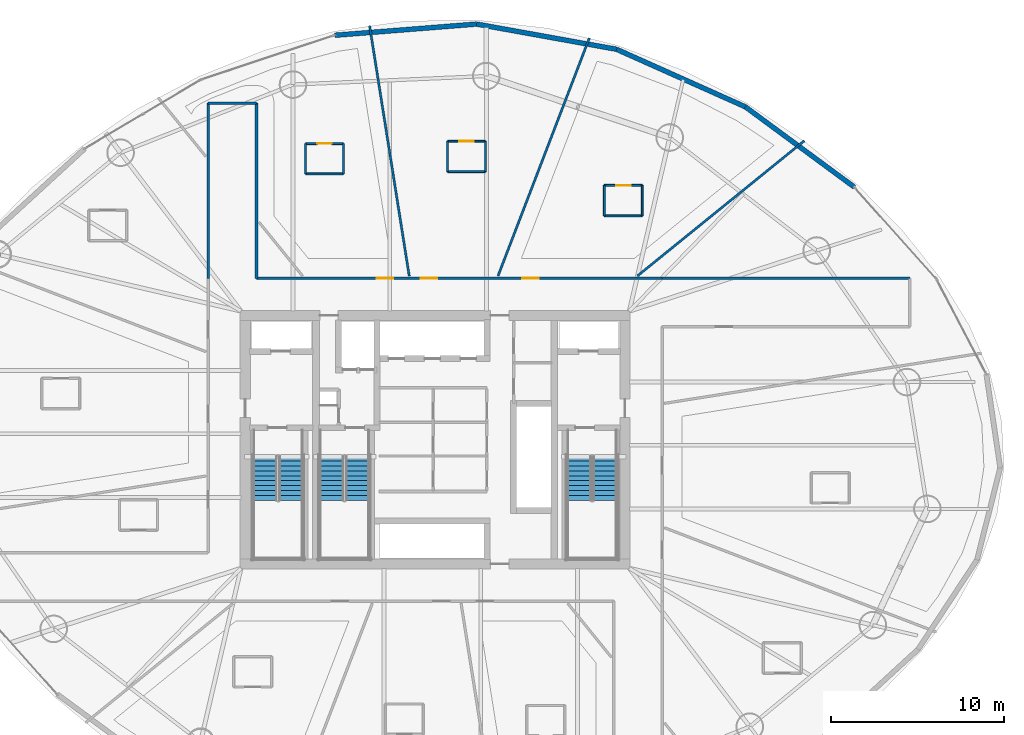
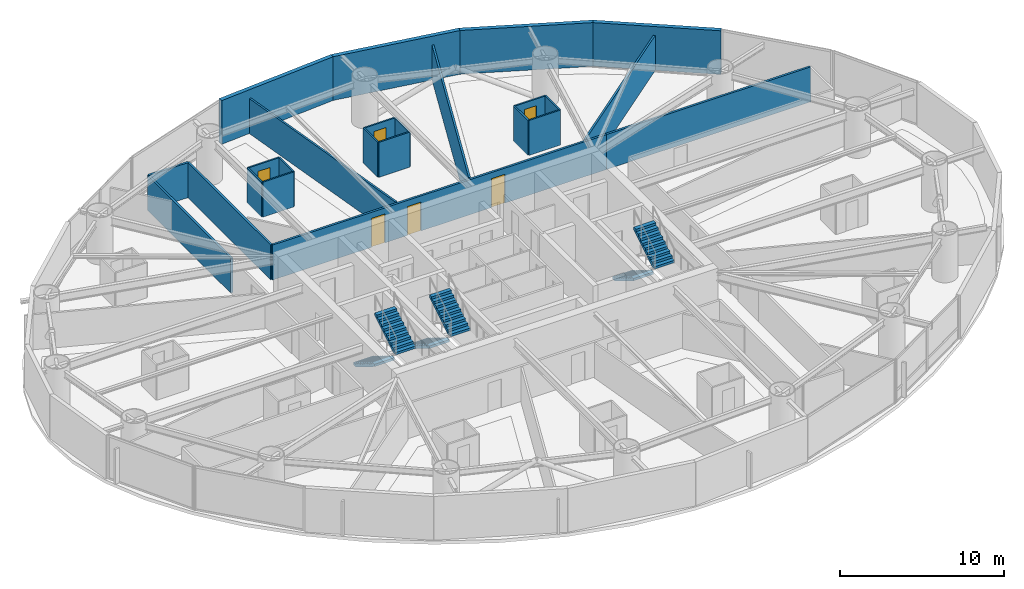
# One storey, part 21 of 25: 24 walls, 6 doors, 6 stair flights, 6 openings, 3 elements without a shape of their own.
"""IFC4 building model written with IfcOpenShell, lengths in metres."""

from ifc_helpers import new_model, si_unit, direction, frame, frame_2d, origin, place, context, subcontext, project, spatial, polyline, rectangle, outline, extrude, material, layer, layer_set, type_object, element, fill, aggregate, save


model = new_model("IFC4")

# Units and contexts
model_context = context("Model", 3, precision=1e-05, world=origin(), true_north=direction((0.0, 1.0)))
body_context = subcontext(model_context, "Body", "Model", "MODEL_VIEW")
ifc_project = project(units=[si_unit("LENGTHUNIT", "METRE"), si_unit("AREAUNIT", "SQUARE_METRE"), si_unit("VOLUMEUNIT", "CUBIC_METRE"), si_unit("PLANEANGLEUNIT", "RADIAN"), si_unit("MASSUNIT", "GRAM", prefix="KILO")], contexts=[model_context])

# Site, building, storey
site_placement = place(None, origin())
site = spatial("IfcSite", under=ifc_project, at=site_placement, CompositionType="ELEMENT")
building_placement = place(site_placement, origin())
building = spatial("IfcBuilding", under=site, at=building_placement, Name="Bramvorn Convention Spire", CompositionType="ELEMENT")
storey_placement = place(building_placement, frame((0.0, 0.0, 48.39990234375)))
storey = spatial("IfcBuildingStorey", under=building, at=storey_placement, Name="L09", CompositionType="ELEMENT", Elevation=48.39990234375)

# Walls
ifc_material_1 = material(Name="Precast Concrete C40/50 with Bronze Terracotta Rainscreen", Category="masonry")
ifc_layer_1 = layer(ifc_material_1, 0.300048828125)
ifc_layer_set_1 = layer_set([ifc_layer_1], Name="Precast Concrete C40/50 with Bronze Terracotta Rainscreen - WL-EXT-BRONZE-300")
wall_type_1 = type_object("IfcWallType", Name="WL-EXT-BRONZE-300", PredefinedType="SOLIDWALL", material=ifc_layer_set_1)
wall_1_placement = place(storey_placement, frame((55.97119140625, 45.287109375, 0.0), z_axis=(0.0, 0.0, 1.0), x_axis=(0.805234930247, -0.592955906547, 0.0)))
element("IfcWall", 1, at=wall_1_placement, inside=storey, type_object=wall_type_1, Name="L09 expressed bronze Gothic lancet pier wall 04", PredefinedType="SOLIDWALL", context=body_context, shape_type="SweptSolid", body=[
    extrude(rectangle(XDim=7.8447265625, YDim=0.280029296875, at=frame_2d((3.92236328125, 0.0))), origin(), (0.0, 0.0, 1.0), 3.25),
])
wall_2_placement = place(storey_placement, frame((48.51123046875, 48.62060546875, 0.0), z_axis=(0.0, 0.0, 1.0), x_axis=(0.91299402967, -0.407972917958, 0.0)))
element("IfcWall", 2, at=wall_2_placement, inside=storey, type_object=wall_type_1, Name="L09 expressed bronze Gothic lancet pier wall 05", PredefinedType="SOLIDWALL", context=body_context, shape_type="SweptSolid", body=[
    extrude(rectangle(XDim=8.1708984375, YDim=0.280029296875, at=frame_2d((4.08544921875, 0.0))), origin(), (0.0, 0.0, 1.0), 3.25),
])
wall_3_placement = place(storey_placement, frame((40.400390625, 50.080810546875, 0.0), z_axis=(0.0, 0.0, 1.0), x_axis=(0.984177951896, -0.177182840596, 0.0)))
element("IfcWall", 3, at=wall_3_placement, inside=storey, type_object=wall_type_1, Name="L09 expressed bronze Gothic lancet pier wall 06", PredefinedType="SOLIDWALL", context=body_context, shape_type="SweptSolid", body=[
    extrude(rectangle(XDim=8.2412109375, YDim=0.280029296875, at=frame_2d((4.12060546875, 0.0))), origin(), (0.0, 0.0, 1.0), 3.25),
])
wall_4_placement = place(storey_placement, frame((32.184326171875, 49.433349609375, 0.0), z_axis=(0.0, 0.0, 1.0), x_axis=(0.996909331369, 0.078560709202, 0.0)))
element("IfcWall", 4, at=wall_4_placement, inside=storey, type_object=wall_type_1, Name="L09 expressed bronze Gothic lancet pier wall 07", PredefinedType="SOLIDWALL", context=body_context, shape_type="SweptSolid", body=[
    extrude(rectangle(XDim=8.241455078125, YDim=0.280029296875, at=frame_2d((4.12060546875, 0.0))), origin(), (0.0, 0.0, 1.0), 3.25),
])
ifc_material_2 = material(Name="Lightweight En-Suite & Wet-Wall Partition", Category="gypsum")
ifc_layer_2 = layer(ifc_material_2, 0.110107421875)
ifc_layer_set_2 = layer_set([ifc_layer_2], Name="Lightweight En-Suite & Wet-Wall Partition - WL-PART-110")
wall_type_2 = type_object("IfcWallType", Name="WL-PART-110", PredefinedType="PARTITIONING", material=ifc_layer_set_2)
wall_5_placement = place(storey_placement, frame((47.80078125, 38.971923828125, 0.0), z_axis=(0.0, 0.0, 1.0), x_axis=(1.0, 0.0, 0.0)))
element("IfcWall", 5, at=wall_5_placement, inside=storey, type_object=wall_type_2, Name="Hotel Suite 0902 en-suite south wall", PredefinedType="PARTITIONING", context=body_context, shape_type="SweptSolid", body=[
    extrude(rectangle(XDim=2.2001953125, YDim=0.110107421875, at=frame_2d((1.10009765625, 0.0))), origin(), (0.0, 0.0, 1.0), 2.60009765625),
])

# Wall, opening, door
wall_6_placement = place(storey_placement, frame((47.80078125, 40.73193359375, 0.0), z_axis=(0.0, 0.0, 1.0), x_axis=(1.0, 0.0, 0.0)))
wall_6 = element("IfcWall", 6, at=wall_6_placement, inside=storey, type_object=wall_type_2, Name="Hotel Suite 0902 en-suite north wall", PredefinedType="PARTITIONING", context=body_context, shape_type="SweptSolid", body=[
    extrude(rectangle(XDim=2.2001953125, YDim=0.110107421875, at=frame_2d((1.10009765625, 0.0))), origin(), (0.0, 0.0, 1.0), 2.60009765625),
])
opening_1_placement = place(wall_6_placement, frame((0.679931640625, 0.0, 0.0)))
opening_1 = element("IfcOpeningElement", 7, at=opening_1_placement, cuts=wall_6, Name="Opening DI-085", PredefinedType="OPENING", context=body_context, shape_type="SweptSolid", body=[
    extrude(rectangle(XDim=0.85009765625, YDim=2.10009765625, at=frame_2d((0.425048828125, 1.050048828125))), frame((0.0, 0.06494140625, 0.0), z_axis=(0.0, -1.0, 0.0), x_axis=(1.0, 0.0, 0.0)), (0.0, 0.0, 1.0), 0.130126953125),
])
ifc_material_3 = material(Name="En-Suite & Restroom Privacy Door", Category="wood")
door_type_1 = type_object("IfcDoorType", Name="DR-INT-850", OperationType="NOTDEFINED", PredefinedType="DOOR", material=ifc_material_3)
door_1_placement = place(opening_1_placement, origin())
door_1 = element("IfcDoor", 8, at=door_1_placement, inside=storey, type_object=door_type_1, Name="Hotel Suite 0902 En-Suite Bathroom door", OperationType="SINGLE_SWING_LEFT", OverallHeight=2.10009765625, OverallWidth=0.85009765625, PredefinedType="DOOR", context=body_context, shape_type="SweptSolid", body=[
    extrude(rectangle(XDim=0.85009765625, YDim=2.10009765625, at=frame_2d((0.425048828125, 1.050048828125))), frame((0.0, 0.02490234375, 0.0), z_axis=(0.0, -1.0, 0.0), x_axis=(1.0, 0.0, 0.0)), (0.0, 0.0, 1.0), 0.050048828125),
])
fill(opening_1, door_1)

# Walls
for number, where, z_axis, x_axis, name in (
    (9, (47.80078125, 38.971923828125, 0.0), (0.0, 0.0, 1.0), (0.0, 1.0, 0.0), "Hotel Suite 0902 en-suite west wall"),
    (10, (50.0009765625, 38.971923828125, 0.0), (0.0, 0.0, 1.0), (0.0, 1.0, 0.0), "Hotel Suite 0902 en-suite east wall"),
):
    element("IfcWall", number, at=place(storey_placement, frame(where, z_axis=z_axis, x_axis=x_axis)), inside=storey, type_object=wall_type_2, Name=name, PredefinedType="PARTITIONING", context=body_context, shape_type="SweptSolid", body=[
        extrude(rectangle(XDim=1.760009765625, YDim=0.110107421875, at=frame_2d((0.8798828125, 0.0))), origin(), (0.0, 0.0, 1.0), 2.60009765625),
    ])
wall_7_placement = place(storey_placement, frame((38.715087890625, 41.53125, 0.0), z_axis=(0.0, 0.0, 1.0), x_axis=(1.0, 0.0, 0.0)))
element("IfcWall", 11, at=wall_7_placement, inside=storey, type_object=wall_type_2, Name="Hotel Suite 0903 en-suite south wall", PredefinedType="PARTITIONING", context=body_context, shape_type="SweptSolid", body=[
    extrude(rectangle(XDim=2.199951171875, YDim=0.110107421875, at=frame_2d((1.10009765625, 0.0))), origin(), (0.0, 0.0, 1.0), 2.60009765625),
])

# Wall, opening, door
wall_8_placement = place(storey_placement, frame((38.715087890625, 43.291259765625, 0.0), z_axis=(0.0, 0.0, 1.0), x_axis=(1.0, 0.0, 0.0)))
wall_8 = element("IfcWall", 12, at=wall_8_placement, inside=storey, type_object=wall_type_2, Name="Hotel Suite 0903 en-suite north wall", PredefinedType="PARTITIONING", context=body_context, shape_type="SweptSolid", body=[
    extrude(rectangle(XDim=2.199951171875, YDim=0.110107421875, at=frame_2d((1.10009765625, 0.0))), origin(), (0.0, 0.0, 1.0), 2.60009765625),
])
opening_2_placement = place(wall_8_placement, frame((0.679931640625, 0.0, 0.0)))
opening_2 = element("IfcOpeningElement", 13, at=opening_2_placement, cuts=wall_8, Name="Opening DI-085", PredefinedType="OPENING", context=body_context, shape_type="SweptSolid", body=[
    extrude(rectangle(XDim=0.85009765625, YDim=2.10009765625, at=frame_2d((0.425048828125, 1.050048828125))), frame((0.0, 0.06494140625, 0.0), z_axis=(0.0, -1.0, 0.0), x_axis=(1.0, 0.0, 0.0)), (0.0, 0.0, 1.0), 0.130126953125),
])
door_2_placement = place(opening_2_placement, origin())
door_2 = element("IfcDoor", 14, at=door_2_placement, inside=storey, type_object=door_type_1, Name="Hotel Suite 0903 En-Suite Bathroom door", OperationType="SINGLE_SWING_LEFT", OverallHeight=2.10009765625, OverallWidth=0.85009765625, PredefinedType="DOOR", context=body_context, shape_type="SweptSolid", body=[
    extrude(rectangle(XDim=0.85009765625, YDim=2.10009765625, at=frame_2d((0.425048828125, 1.050048828125))), frame((0.0, 0.02490234375, 0.0), z_axis=(0.0, -1.0, 0.0), x_axis=(1.0, 0.0, 0.0)), (0.0, 0.0, 1.0), 0.050048828125),
])
fill(opening_2, door_2)

# Walls
for number, where, z_axis, x_axis, name in (
    (15, (38.715087890625, 41.53125, 0.0), (0.0, 0.0, 1.0), (0.0, 1.0, 0.0), "Hotel Suite 0903 en-suite west wall"),
    (16, (40.9150390625, 41.53125, 0.0), (0.0, 0.0, 1.0), (0.0, 1.0, 0.0), "Hotel Suite 0903 en-suite east wall"),
):
    element("IfcWall", number, at=place(storey_placement, frame(where, z_axis=z_axis, x_axis=x_axis)), inside=storey, type_object=wall_type_2, Name=name, PredefinedType="PARTITIONING", context=body_context, shape_type="SweptSolid", body=[
        extrude(rectangle(XDim=1.760009765625, YDim=0.110107421875, at=frame_2d((0.8798828125, 0.0))), origin(), (0.0, 0.0, 1.0), 2.60009765625),
    ])
wall_9_placement = place(storey_placement, frame((30.48828125, 41.39892578125, 0.0), z_axis=(0.0, 0.0, 1.0), x_axis=(1.0, 0.0, 0.0)))
element("IfcWall", 17, at=wall_9_placement, inside=storey, type_object=wall_type_2, Name="Hotel Suite 0904 en-suite south wall", PredefinedType="PARTITIONING", context=body_context, shape_type="SweptSolid", body=[
    extrude(rectangle(XDim=2.2001953125, YDim=0.110107421875, at=frame_2d((1.10009765625, 0.0))), origin(), (0.0, 0.0, 1.0), 2.60009765625),
])

# Wall, opening, door
wall_10_placement = place(storey_placement, frame((30.48828125, 43.158935546875, 0.0), z_axis=(0.0, 0.0, 1.0), x_axis=(1.0, 0.0, 0.0)))
wall_10 = element("IfcWall", 18, at=wall_10_placement, inside=storey, type_object=wall_type_2, Name="Hotel Suite 0904 en-suite north wall", PredefinedType="PARTITIONING", context=body_context, shape_type="SweptSolid", body=[
    extrude(rectangle(XDim=2.2001953125, YDim=0.110107421875, at=frame_2d((1.10009765625, 0.0))), origin(), (0.0, 0.0, 1.0), 2.60009765625),
])
opening_3_placement = place(wall_10_placement, frame((0.679931640625, 0.0, 0.0)))
opening_3 = element("IfcOpeningElement", 19, at=opening_3_placement, cuts=wall_10, Name="Opening DI-085", PredefinedType="OPENING", context=body_context, shape_type="SweptSolid", body=[
    extrude(rectangle(XDim=0.85009765625, YDim=2.10009765625, at=frame_2d((0.425048828125, 1.050048828125))), frame((0.0, 0.06494140625, 0.0), z_axis=(0.0, -1.0, 0.0), x_axis=(1.0, 0.0, 0.0)), (0.0, 0.0, 1.0), 0.130126953125),
])
door_3_placement = place(opening_3_placement, origin())
door_3 = element("IfcDoor", 20, at=door_3_placement, inside=storey, type_object=door_type_1, Name="Hotel Suite 0904 En-Suite Bathroom door", OperationType="SINGLE_SWING_LEFT", OverallHeight=2.10009765625, OverallWidth=0.85009765625, PredefinedType="DOOR", context=body_context, shape_type="SweptSolid", body=[
    extrude(rectangle(XDim=0.85009765625, YDim=2.10009765625, at=frame_2d((0.425048828125, 1.050048828125))), frame((0.0, 0.02490234375, 0.0), z_axis=(0.0, -1.0, 0.0), x_axis=(1.0, 0.0, 0.0)), (0.0, 0.0, 1.0), 0.050048828125),
])
fill(opening_3, door_3)

# Walls
for number, where, z_axis, x_axis, name in (
    (21, (30.48828125, 41.39892578125, 0.0), (0.0, 0.0, 1.0), (0.0, 1.0, 0.0), "Hotel Suite 0904 en-suite west wall"),
    (22, (32.6884765625, 41.39892578125, 0.0), (0.0, 0.0, 1.0), (0.0, 1.0, 0.0), "Hotel Suite 0904 en-suite east wall"),
):
    element("IfcWall", number, at=place(storey_placement, frame(where, z_axis=z_axis, x_axis=x_axis)), inside=storey, type_object=wall_type_2, Name=name, PredefinedType="PARTITIONING", context=body_context, shape_type="SweptSolid", body=[
        extrude(rectangle(XDim=1.760009765625, YDim=0.110107421875, at=frame_2d((0.8798828125, 0.0))), origin(), (0.0, 0.0, 1.0), 2.60009765625),
    ])
ifc_material_4 = material(Name="Metal-Stud Demountable Office Partition", Category="gypsum")
ifc_layer_3 = layer(ifc_material_4, 0.1298828125)
ifc_layer_set_3 = layer_set([ifc_layer_3], Name="Metal-Stud Demountable Office Partition - WL-PART-130")
wall_type_3 = type_object("IfcWallType", Name="WL-PART-130", PredefinedType="PARTITIONING", material=ifc_layer_set_3)
wall_11_placement = place(storey_placement, frame((49.71923828125, 35.489990234375, 0.0), z_axis=(0.0, 0.0, 1.0), x_axis=(0.777145304008, 0.62932120293, 0.0)))
element("IfcWall", 23, at=wall_11_placement, inside=storey, type_object=wall_type_3, Name="L09 Guestroom demising wall 2", PredefinedType="PARTITIONING", context=body_context, shape_type="SweptSolid", body=[
    extrude(rectangle(XDim=12.449462890625, YDim=0.1298828125, at=frame_2d((6.224609375, 0.0))), origin(), (0.0, 0.0, 1.0), 2.60009765625),
])
wall_12_placement = place(storey_placement, frame((41.642822265625, 35.489990234375, 0.0), z_axis=(0.0, 0.0, 1.0), x_axis=(0.358374426788, 0.933577940091, 0.0)))
element("IfcWall", 24, at=wall_12_placement, inside=storey, type_object=wall_type_3, Name="L09 Guestroom demising wall 3", PredefinedType="PARTITIONING", context=body_context, shape_type="SweptSolid", body=[
    extrude(rectangle(XDim=14.77490234375, YDim=0.1298828125, at=frame_2d((7.387451171875, 0.0))), origin(), (0.0, 0.0, 1.0), 2.60009765625),
])
wall_13_placement = place(storey_placement, frame((36.496826171875, 35.489990234375, 0.0), z_axis=(0.0, 0.0, 1.0), x_axis=(-0.15643388506, 0.987688432455, 0.0)))
element("IfcWall", 25, at=wall_13_placement, inside=storey, type_object=wall_type_3, Name="L09 Guestroom demising wall 4", PredefinedType="PARTITIONING", context=body_context, shape_type="SweptSolid", body=[
    extrude(rectangle(XDim=14.6826171875, YDim=0.1298828125, at=frame_2d((7.34130859375, 0.0))), origin(), (0.0, 0.0, 1.0), 2.60009765625),
])

# Wall, openings, doors
ifc_material_5 = material(Name="Acoustic Metal-Stud Tenant/Corridor Partition", Category="gypsum")
ifc_layer_4 = layer(ifc_material_5, 0.14990234375)
ifc_layer_set_4 = layer_set([ifc_layer_4], Name="Acoustic Metal-Stud Tenant/Corridor Partition - WL-PART-150")
wall_type_4 = type_object("IfcWallType", Name="WL-PART-150", PredefinedType="PARTITIONING", material=ifc_layer_set_4)
wall_14_placement = place(storey_placement, frame((27.64990234375, 35.35009765625, 0.0), z_axis=(0.0, 0.0, 1.0), x_axis=(1.0, 0.0, 0.0)))
wall_14 = element("IfcWall", 26, at=wall_14_placement, inside=storey, type_object=wall_type_4, Name="L09 North ring corridor wall", PredefinedType="PARTITIONING", context=body_context, shape_type="SweptSolid", body=[
    extrude(rectangle(XDim=23.5, YDim=0.14990234375, at=frame_2d((11.75, 0.0))), origin(), (0.0, 0.0, 1.0), 2.60009765625),
])
opening_4_placement = place(wall_14_placement, frame((15.392822265625, 0.0, 0.0)))
opening_4 = element("IfcOpeningElement", 27, at=opening_4_placement, cuts=wall_14, Name="Opening DH-095", PredefinedType="OPENING", context=body_context, shape_type="SweptSolid", body=[
    extrude(rectangle(XDim=0.949951171875, YDim=2.14990234375, at=frame_2d((0.47509765625, 1.074951171875))), frame((0.0, 0.0849609375, 0.0), z_axis=(0.0, -1.0, 0.0), x_axis=(1.0, 0.0, 0.0)), (0.0, 0.0, 1.0), 0.169921875),
])
opening_5_placement = place(wall_14_placement, frame((9.5107421875, 0.0, 0.0)))
opening_5 = element("IfcOpeningElement", 28, at=opening_5_placement, cuts=wall_14, Name="Opening DH-095", PredefinedType="OPENING", context=body_context, shape_type="SweptSolid", body=[
    extrude(rectangle(XDim=0.949951171875, YDim=2.14990234375, at=frame_2d((0.47509765625, 1.074951171875))), frame((0.0, 0.0849609375, 0.0), z_axis=(0.0, -1.0, 0.0), x_axis=(1.0, 0.0, 0.0)), (0.0, 0.0, 1.0), 0.169921875),
])
opening_6_placement = place(wall_14_placement, frame((6.9765625, 0.0, 0.0)))
opening_6 = element("IfcOpeningElement", 29, at=opening_6_placement, cuts=wall_14, Name="Opening DH-095", PredefinedType="OPENING", context=body_context, shape_type="SweptSolid", body=[
    extrude(rectangle(XDim=0.949951171875, YDim=2.14990234375, at=frame_2d((0.47509765625, 1.074951171875))), frame((0.0, 0.0849609375, 0.0), z_axis=(0.0, -1.0, 0.0), x_axis=(1.0, 0.0, 0.0)), (0.0, 0.0, 1.0), 0.169921875),
])
ifc_material_6 = material(Name="Solid-Core Acoustic Guestroom Entry Door", Category="wood")
door_type_2 = type_object("IfcDoorType", Name="DR-HOTEL-950", OperationType="NOTDEFINED", PredefinedType="DOOR", material=ifc_material_6)
door_4_placement = place(opening_4_placement, origin())
door_4 = element("IfcDoor", 30, at=door_4_placement, inside=storey, type_object=door_type_2, Name="Hotel Suite 0902 entry door", OperationType="SINGLE_SWING_LEFT", OverallHeight=2.14990234375, OverallWidth=0.949951171875, PredefinedType="DOOR", context=body_context, shape_type="SweptSolid", body=[
    extrude(rectangle(XDim=0.949951171875, YDim=2.14990234375, at=frame_2d((0.47509765625, 1.074951171875))), frame((0.0, 0.02490234375, 0.0), z_axis=(0.0, -1.0, 0.0), x_axis=(1.0, 0.0, 0.0)), (0.0, 0.0, 1.0), 0.050048828125),
])
fill(opening_4, door_4)
door_5_placement = place(opening_5_placement, origin())
door_5 = element("IfcDoor", 31, at=door_5_placement, inside=storey, type_object=door_type_2, Name="Hotel Suite 0903 entry door", OperationType="SINGLE_SWING_RIGHT", OverallHeight=2.14990234375, OverallWidth=0.949951171875, PredefinedType="DOOR", context=body_context, shape_type="SweptSolid", body=[
    extrude(rectangle(XDim=0.949951171875, YDim=2.14990234375, at=frame_2d((0.47509765625, 1.074951171875))), frame((0.0, 0.02490234375, 0.0), z_axis=(0.0, -1.0, 0.0), x_axis=(1.0, 0.0, 0.0)), (0.0, 0.0, 1.0), 0.050048828125),
])
fill(opening_5, door_5)
door_6_placement = place(opening_6_placement, origin())
door_6 = element("IfcDoor", 32, at=door_6_placement, inside=storey, type_object=door_type_2, Name="Hotel Suite 0904 entry door", OperationType="SINGLE_SWING_RIGHT", OverallHeight=2.14990234375, OverallWidth=0.949951171875, PredefinedType="DOOR", context=body_context, shape_type="SweptSolid", body=[
    extrude(rectangle(XDim=0.949951171875, YDim=2.14990234375, at=frame_2d((0.47509765625, 1.074951171875))), frame((0.0, 0.02490234375, 0.0), z_axis=(0.0, -1.0, 0.0), x_axis=(1.0, 0.0, 0.0)), (0.0, 0.0, 1.0), 0.050048828125),
])
fill(opening_6, door_6)

# Walls
wall_15_placement = place(storey_placement, frame((51.14990234375, 35.35009765625, 0.0), z_axis=(0.0, 0.0, 1.0), x_axis=(1.0, 0.0, 0.0)))
element("IfcWall", 33, at=wall_15_placement, inside=storey, type_object=wall_type_4, Name="L09 NE pinwheel wing north wall", PredefinedType="PARTITIONING", context=body_context, shape_type="SweptSolid", body=[
    extrude(rectangle(XDim=14.35009765625, YDim=0.14990234375, at=frame_2d((7.175048828125, 0.0))), origin(), (0.0, 0.0, 1.0), 2.60009765625),
])
for number, where, z_axis, x_axis, name in (
    (34, (24.85009765625, 35.35009765625, 0.0), (0.0, 0.0, 1.0), (0.0, 1.0, 0.0), "L09 NW pinwheel wing west wall"),
    (35, (27.64990234375, 35.35009765625, 0.0), (0.0, 0.0, 1.0), (0.0, 1.0, 0.0), "L09 NW pinwheel wing east wall"),
):
    element("IfcWall", number, at=place(storey_placement, frame(where, z_axis=z_axis, x_axis=x_axis)), inside=storey, type_object=wall_type_4, Name=name, PredefinedType="PARTITIONING", context=body_context, shape_type="SweptSolid", body=[
        extrude(rectangle(XDim=10.14990234375, YDim=0.14990234375, at=frame_2d((5.074951171875, 0.0))), origin(), (0.0, 0.0, 1.0), 2.60009765625),
    ])
wall_16_placement = place(storey_placement, frame((24.85009765625, 45.5, 0.0), z_axis=(0.0, 0.0, 1.0), x_axis=(1.0, 0.0, 0.0)))
element("IfcWall", 36, at=wall_16_placement, inside=storey, type_object=wall_type_4, Name="L09 NW pinwheel end wall", PredefinedType="PARTITIONING", context=body_context, shape_type="SweptSolid", body=[
    extrude(rectangle(XDim=2.7998046875, YDim=0.14990234375, at=frame_2d((1.39990234375, 0.0))), origin(), (0.0, 0.0, 1.0), 2.60009765625),
])

# Stair, stair flights
ifc_material_7 = material(Name="Concrete C40/50 Precast Stair", Category="concrete")
stair_type = type_object("IfcStairType", Name="ST-TOWER-1550", PredefinedType="HALF_TURN_STAIR", material=ifc_material_7)
stair_1_placement = place(storey_placement, origin())
stair_1 = element("IfcStair", 37, at=stair_1_placement, inside=storey, type_object=stair_type, Name="L09 Protected Exit Stair ST1", PredefinedType="HALF_TURN_STAIR")
ifc_material_8 = material(Name="Concrete C40/50 Precast Stair Flight", Category="concrete")
stair_flight_type = type_object("IfcStairFlightType", Name="STF-TOWER-1550", PredefinedType="STRAIGHT", material=ifc_material_8)
stair_flight_1_placement = place(storey_placement, frame((28.155029296875, 25.050048828125, 0.0), z_axis=(0.0, 0.0, 1.0), x_axis=(0.0, -1.0, 0.0)))
stair_flight_1 = element("IfcStairFlight", 38, at=stair_flight_1_placement, type_object=stair_flight_type, Name="ST1 flight 1", NumberOfRisers=10, NumberOfTreads=9, PredefinedType="STRAIGHT", RiserHeight=0.175, TreadLength=0.285, context=body_context, shape_type="SweptSolid", body=[
    extrude(outline(polyline([(0.0, 0.0), (0.0, 0.175048828125), (0.284912109375, 0.175048828125), (0.284912109375, 0.35009765625), (0.570068359375, 0.35009765625), (0.570068359375, 0.52490234375), (0.85498046875, 0.52490234375), (0.85498046875, 0.699951171875), (1.139892578125, 0.699951171875), (1.139892578125, 0.875), (1.425048828125, 0.875), (1.425048828125, 1.050048828125), (1.7099609375, 1.050048828125), (1.7099609375, 1.22509765625), (1.9951171875, 1.22509765625), (1.9951171875, 1.39990234375), (2.280029296875, 1.39990234375), (2.280029296875, 1.574951171875), (2.56494140625, 1.574951171875), (2.56494140625, 1.75), (2.56494140625, 1.399169921875), (0.286376953125, 0.0), (0.0, 0.0)])), frame((0.0, 0.705078125, 0.0), z_axis=(0.0, -1.0, 0.0), x_axis=(1.0, 0.0, 0.0)), (0.0, 0.0, 1.0), 1.409912109375),
])
stair_flight_2_placement = place(storey_placement, frame((29.64501953125, 22.485107421875, 1.75), z_axis=(0.0, 0.0, 1.0), x_axis=(0.0, 1.0, 0.0)))
stair_flight_2 = element("IfcStairFlight", 39, at=stair_flight_2_placement, type_object=stair_flight_type, Name="ST1 flight 2", NumberOfRisers=10, NumberOfTreads=9, PredefinedType="STRAIGHT", RiserHeight=0.175, TreadLength=0.285, context=body_context, shape_type="SweptSolid", body=[
    extrude(outline(polyline([(0.0, 0.0), (0.0, 0.175048828125), (0.284912109375, 0.175048828125), (0.284912109375, 0.35009765625), (0.570068359375, 0.35009765625), (0.570068359375, 0.52490234375), (0.85498046875, 0.52490234375), (0.85498046875, 0.699951171875), (1.139892578125, 0.699951171875), (1.139892578125, 0.875), (1.425048828125, 0.875), (1.425048828125, 1.050048828125), (1.7099609375, 1.050048828125), (1.7099609375, 1.22509765625), (1.9951171875, 1.22509765625), (1.9951171875, 1.39990234375), (2.280029296875, 1.39990234375), (2.280029296875, 1.574951171875), (2.56494140625, 1.574951171875), (2.56494140625, 1.75), (2.56494140625, 1.399169921875), (0.286376953125, 0.0), (0.0, 0.0)])), frame((0.0, 0.705078125, 0.0), z_axis=(0.0, -1.0, 0.0), x_axis=(1.0, 0.0, 0.0)), (0.0, 0.0, 1.0), 1.409912109375),
])
aggregate(stair_1, [stair_flight_1, stair_flight_2])

stair_2_placement = place(storey_placement, origin())
stair_2 = element("IfcStair", 40, at=stair_2_placement, inside=storey, type_object=stair_type, Name="L09 Protected Exit Stair ST2", PredefinedType="HALF_TURN_STAIR")
stair_flight_3_placement = place(storey_placement, frame((46.35498046875, 25.050048828125, 0.0), z_axis=(0.0, 0.0, 1.0), x_axis=(0.0, -1.0, 0.0)))
stair_flight_3 = element("IfcStairFlight", 41, at=stair_flight_3_placement, type_object=stair_flight_type, Name="ST2 flight 1", NumberOfRisers=10, NumberOfTreads=9, PredefinedType="STRAIGHT", RiserHeight=0.175, TreadLength=0.285, context=body_context, shape_type="SweptSolid", body=[
    extrude(outline(polyline([(0.0, 0.0), (0.0, 0.175048828125), (0.284912109375, 0.175048828125), (0.284912109375, 0.35009765625), (0.570068359375, 0.35009765625), (0.570068359375, 0.52490234375), (0.85498046875, 0.52490234375), (0.85498046875, 0.699951171875), (1.139892578125, 0.699951171875), (1.139892578125, 0.875), (1.425048828125, 0.875), (1.425048828125, 1.050048828125), (1.7099609375, 1.050048828125), (1.7099609375, 1.22509765625), (1.9951171875, 1.22509765625), (1.9951171875, 1.39990234375), (2.280029296875, 1.39990234375), (2.280029296875, 1.574951171875), (2.56494140625, 1.574951171875), (2.56494140625, 1.75), (2.56494140625, 1.399169921875), (0.286376953125, 0.0), (0.0, 0.0)])), frame((0.0, 0.705078125, 0.0), z_axis=(0.0, -1.0, 0.0), x_axis=(1.0, 0.0, 0.0)), (0.0, 0.0, 1.0), 1.409912109375),
])
stair_flight_4_placement = place(storey_placement, frame((47.844970703125, 22.485107421875, 1.75), z_axis=(0.0, 0.0, 1.0), x_axis=(0.0, 1.0, 0.0)))
stair_flight_4 = element("IfcStairFlight", 42, at=stair_flight_4_placement, type_object=stair_flight_type, Name="ST2 flight 2", NumberOfRisers=10, NumberOfTreads=9, PredefinedType="STRAIGHT", RiserHeight=0.175, TreadLength=0.285, context=body_context, shape_type="SweptSolid", body=[
    extrude(outline(polyline([(0.0, 0.0), (0.0, 0.175048828125), (0.284912109375, 0.175048828125), (0.284912109375, 0.35009765625), (0.570068359375, 0.35009765625), (0.570068359375, 0.52490234375), (0.85498046875, 0.52490234375), (0.85498046875, 0.699951171875), (1.139892578125, 0.699951171875), (1.139892578125, 0.875), (1.425048828125, 0.875), (1.425048828125, 1.050048828125), (1.7099609375, 1.050048828125), (1.7099609375, 1.22509765625), (1.9951171875, 1.22509765625), (1.9951171875, 1.39990234375), (2.280029296875, 1.39990234375), (2.280029296875, 1.574951171875), (2.56494140625, 1.574951171875), (2.56494140625, 1.75), (2.56494140625, 1.399169921875), (0.286376953125, 0.0), (0.0, 0.0)])), frame((0.0, 0.705078125, 0.0), z_axis=(0.0, -1.0, 0.0), x_axis=(1.0, 0.0, 0.0)), (0.0, 0.0, 1.0), 1.409912109375),
])
aggregate(stair_2, [stair_flight_3, stair_flight_4])

stair_3_placement = place(storey_placement, origin())
stair_3 = element("IfcStair", 43, at=stair_3_placement, inside=storey, type_object=stair_type, Name="L09 Protected Exit Stair ST3", PredefinedType="HALF_TURN_STAIR")
stair_flight_5_placement = place(storey_placement, frame((32.0048828125, 25.050048828125, 0.0), z_axis=(0.0, 0.0, 1.0), x_axis=(0.0, -1.0, 0.0)))
stair_flight_5 = element("IfcStairFlight", 44, at=stair_flight_5_placement, type_object=stair_flight_type, Name="ST3 flight 1", NumberOfRisers=10, NumberOfTreads=9, PredefinedType="STRAIGHT", RiserHeight=0.175, TreadLength=0.285, context=body_context, shape_type="SweptSolid", body=[
    extrude(outline(polyline([(0.0, 0.0), (0.0, 0.175048828125), (0.284912109375, 0.175048828125), (0.284912109375, 0.35009765625), (0.570068359375, 0.35009765625), (0.570068359375, 0.52490234375), (0.85498046875, 0.52490234375), (0.85498046875, 0.699951171875), (1.139892578125, 0.699951171875), (1.139892578125, 0.875), (1.425048828125, 0.875), (1.425048828125, 1.050048828125), (1.7099609375, 1.050048828125), (1.7099609375, 1.22509765625), (1.9951171875, 1.22509765625), (1.9951171875, 1.39990234375), (2.280029296875, 1.39990234375), (2.280029296875, 1.574951171875), (2.56494140625, 1.574951171875), (2.56494140625, 1.75), (2.56494140625, 1.399169921875), (0.286376953125, 0.0), (0.0, 0.0)])), frame((0.0, 0.705078125, 0.0), z_axis=(0.0, -1.0, 0.0), x_axis=(1.0, 0.0, 0.0)), (0.0, 0.0, 1.0), 1.409912109375),
])
stair_flight_6_placement = place(storey_placement, frame((33.4951171875, 22.485107421875, 1.75), z_axis=(0.0, 0.0, 1.0), x_axis=(0.0, 1.0, 0.0)))
stair_flight_6 = element("IfcStairFlight", 45, at=stair_flight_6_placement, type_object=stair_flight_type, Name="ST3 flight 2", NumberOfRisers=10, NumberOfTreads=9, PredefinedType="STRAIGHT", RiserHeight=0.175, TreadLength=0.285, context=body_context, shape_type="SweptSolid", body=[
    extrude(outline(polyline([(0.0, 0.0), (0.0, 0.175048828125), (0.284912109375, 0.175048828125), (0.284912109375, 0.35009765625), (0.570068359375, 0.35009765625), (0.570068359375, 0.52490234375), (0.85498046875, 0.52490234375), (0.85498046875, 0.699951171875), (1.139892578125, 0.699951171875), (1.139892578125, 0.875), (1.425048828125, 0.875), (1.425048828125, 1.050048828125), (1.7099609375, 1.050048828125), (1.7099609375, 1.22509765625), (1.9951171875, 1.22509765625), (1.9951171875, 1.39990234375), (2.280029296875, 1.39990234375), (2.280029296875, 1.574951171875), (2.56494140625, 1.574951171875), (2.56494140625, 1.75), (2.56494140625, 1.399169921875), (0.286376953125, 0.0), (0.0, 0.0)])), frame((0.0, 0.705078125, 0.0), z_axis=(0.0, -1.0, 0.0), x_axis=(1.0, 0.0, 0.0)), (0.0, 0.0, 1.0), 1.409912109375),
])
aggregate(stair_3, [stair_flight_5, stair_flight_6])

save(model, "model.ifc")
